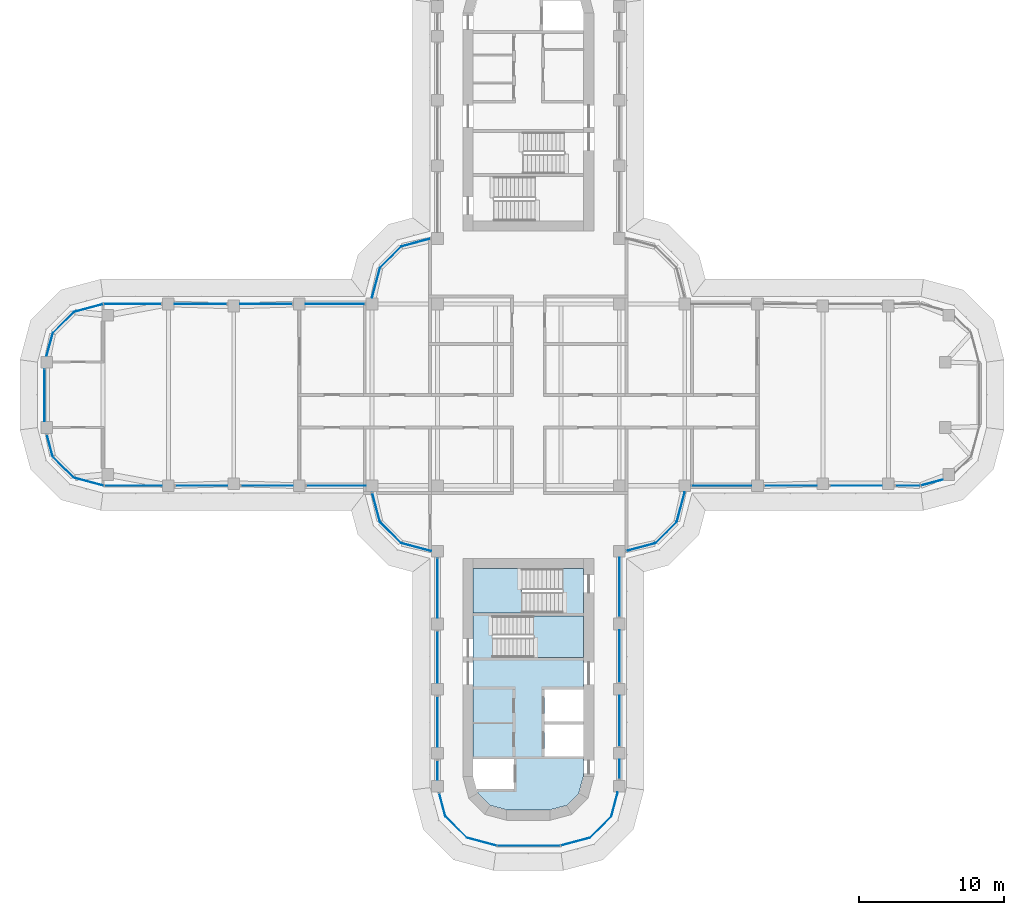
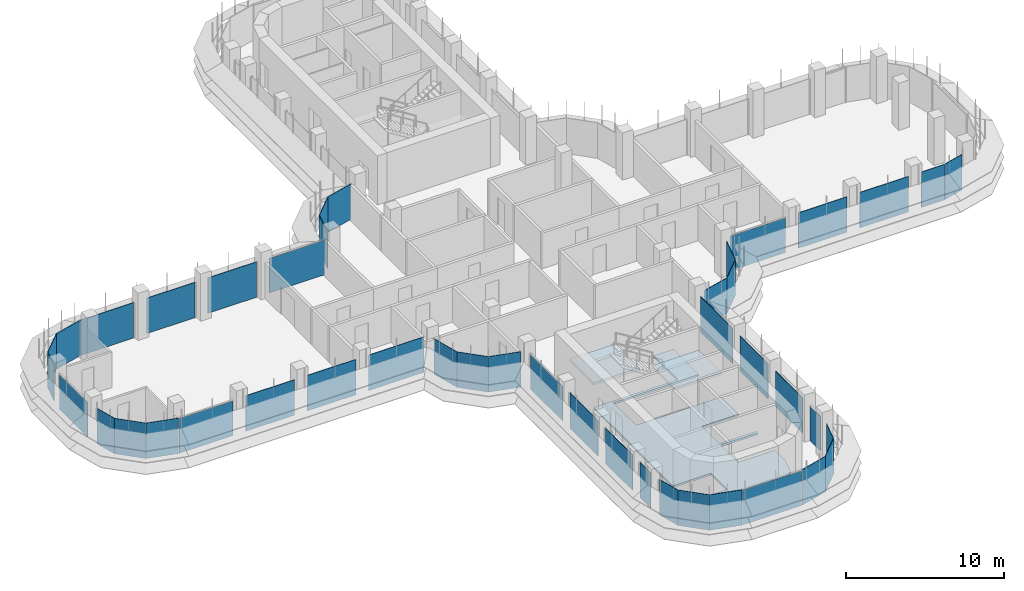
# One storey, part 11 of 19: 44 plates, 3 slabs, 31 elements without a shape of their own.
"""IFC4 building model written with IfcOpenShell, lengths in metres."""

from ifc_helpers import new_model, si_unit, direction, frame, origin, place, context, subcontext, project, spatial, polyline, outline, extrude, source, transform, mapped, material, layer, layer_set, type_object, element, aggregate, save


model = new_model("IFC4")

# Units and contexts
model_context = context("Model", 3, precision=1e-05, world=origin(), true_north=direction((0.0, 1.0)))
body_context = subcontext(model_context, "Body", "Model", "MODEL_VIEW")
ifc_project = project(units=[si_unit("LENGTHUNIT", "METRE"), si_unit("AREAUNIT", "SQUARE_METRE"), si_unit("VOLUMEUNIT", "CUBIC_METRE"), si_unit("PLANEANGLEUNIT", "RADIAN"), si_unit("MASSUNIT", "GRAM", prefix="KILO")], contexts=[model_context])

# Site, building, storey
site_placement = place(None, origin())
site = spatial("IfcSite", under=ifc_project, at=site_placement, CompositionType="ELEMENT")
building_placement = place(site_placement, origin())
building = spatial("IfcBuilding", under=site, at=building_placement, Name="Zarbagh Exchange Tower", CompositionType="ELEMENT")
storey_placement = place(building_placement, frame((0.0, 0.0, 167.60009765625)))
storey = spatial("IfcBuildingStorey", under=building, at=storey_placement, Name="L40", CompositionType="ELEMENT", Elevation=167.60009765625)

# Slab
ifc_material_1 = material(Name="Concrete C40/50", Category="concrete")
ifc_layer_1 = layer(ifc_material_1, 0.14990234375)
ifc_layer_set_1 = layer_set([ifc_layer_1], Name="Core floor slab 150 C40/50")
slab_type_1 = type_object("IfcSlabType", Name="Core floor slab 150 C40/50", PredefinedType="FLOOR", material=ifc_layer_set_1)
slab_1_placement = place(storey_placement, frame((0.0, 0.0, -0.150146484375)))
element("IfcSlab", 1, at=slab_1_placement, inside=storey, type_object=slab_type_1, Name="S17 core S", PredefinedType="FLOOR", context=body_context, shape_type="SweptSolid", body=[
    extrude(outline(polyline([(-2.6376953125, -28.220458984375), (-3.470458984375, -27.3876953125), (-3.800048828125, -26.15771484375), (-3.800048828125, -26.15771484375), (-3.547607421875, -27.10009765625), (-1.0, -27.10009765625), (-1.0, -25.050048828125), (-3.800048828125, -25.050048828125), (-3.800048828125, -15.0), (2.35009765625, -15.0), (2.35009765625, -11.949951171875), (3.800048828125, -11.949951171875), (3.800048828125, -15.199951171875), (-2.449951171875, -15.199951171875), (-2.449951171875, -18.050048828125), (3.800048828125, -18.050048828125), (3.800048828125, -20.25), (1.10009765625, -20.25), (1.10009765625, -22.449951171875), (3.800048828125, -22.449951171875), (3.800048828125, -22.64990234375), (1.10009765625, -22.64990234375), (1.10009765625, -24.85009765625), (3.800048828125, -24.85009765625), (3.800048828125, -26.15771484375), (3.470458984375, -27.3876953125), (2.6376953125, -28.220458984375), (1.40771484375, -28.550048828125), (-1.40771484375, -28.550048828125), (-2.6376953125, -28.220458984375)])), origin(), (0.0, 0.0, 1.0), 0.150146484375),
])

# Stair, slab
stair_type = type_object("IfcStairType", Name="Exit stair two-flight half-turn", PredefinedType="HALF_TURN_STAIR", material=ifc_material_1)
stair_1_placement = place(storey_placement, origin())
stair_1 = element("IfcStair", 2, at=stair_1_placement, inside=storey, type_object=stair_type, Name="exit stair ST3", PredefinedType="HALF_TURN_STAIR")
ifc_layer_2 = layer(ifc_material_1, 0.199951171875)
ifc_layer_set_2 = layer_set([ifc_layer_2], Name="Stair landing 200 mm")
slab_type_2 = type_object("IfcSlabType", Name="Stair landing 200 mm", PredefinedType="LANDING", material=ifc_layer_set_2)
slab_2_placement = place(storey_placement, frame((0.0, 0.0, 1.699951171875)))
slab_2 = element("IfcSlab", 3, at=slab_2_placement, type_object=slab_type_2, Name="ST3 landing 1", PredefinedType="LANDING", context=body_context, shape_type="SweptSolid", body=[
    extrude(outline(polyline([(0.35009765625, -18.050048828125), (3.800048828125, -18.050048828125), (3.800048828125, -15.199951171875), (0.35009765625, -15.199951171875), (0.35009765625, -18.050048828125)])), origin(), (0.0, 0.0, 1.0), 0.199951171875),
])
aggregate(stair_1, [slab_2])

stair_2_placement = place(storey_placement, origin())
stair_2 = element("IfcStair", 4, at=stair_2_placement, inside=storey, type_object=stair_type, Name="exit stair ST4", PredefinedType="HALF_TURN_STAIR")
slab_3_placement = place(storey_placement, frame((0.0, 0.0, 1.699951171875)))
slab_3 = element("IfcSlab", 5, at=slab_3_placement, type_object=slab_type_2, Name="ST4 landing 1", PredefinedType="LANDING", context=body_context, shape_type="SweptSolid", body=[
    extrude(outline(polyline([(-0.449951171875, -11.949951171875), (-3.800048828125, -11.949951171875), (-3.800048828125, -15.0), (-0.449951171875, -15.0), (-0.449951171875, -11.949951171875)])), origin(), (0.0, 0.0, 1.0), 0.199951171875),
])
aggregate(stair_2, [slab_3])

# Curtain wall, plate
ifc_material_2 = material(Name="Anodised aluminium frame and glazing", Category="aluminium")
curtain_wall_type = type_object("IfcCurtainWallType", Name="CWB Ribbon glazing, upper zones", PredefinedType="NOTDEFINED", material=ifc_material_2)
curtain_wall_1_placement = place(storey_placement, origin())
curtain_wall_1 = element("IfcCurtainWall", 6, at=curtain_wall_1_placement, inside=storey, type_object=curtain_wall_type, Name="CWB37 curtain wall", PredefinedType="NOTDEFINED")
ifc_material_3 = material(Name="Low-e double glazed unit, 6+12+6 mm")
ifc_layer_3 = layer(ifc_material_3, 0.031982421875)
ifc_layer_set_3 = layer_set([ifc_layer_3], Name="PAB Glazing panel, Low-e double glazed unit, 6+12+6 mm")
plate_type = type_object("IfcPlateType", Name="PAB Glazing panel, Low-e double glazed unit, 6+12+6 mm", PredefinedType="CURTAIN_PANEL", material=ifc_layer_set_3)
shared_shape_1 = source(origin(), body_context, "Body", "SweptSolid", [
    extrude(outline(polyline([(0.0, -0.01611328125), (1.5458984375, -0.01611328125), (1.5458984375, 0.01611328125), (0.0, 0.01611328125), (0.0, -0.01611328125)])), origin(), (0.0, 0.0, 1.0), 2.75),
])
placement = place(storey_placement, origin())
plate_1 = element("IfcPlate", 7, at=placement, type_object=plate_type, Name="CWB37 glazing panel 1.1", PredefinedType="CURTAIN_PANEL", context=body_context, shape_type="MappedRepresentation", body=[
    mapped(shared_shape_1, transform((-33.098876953125, -2.748046875, 0.0), x_axis=(0.258824779902, -0.965924289636, 0.0), y_axis=(0.965924289636, 0.258824779902, 0.0), z_axis=(0.0, 0.0, 1.0))),
])
aggregate(curtain_wall_1, [plate_1])

curtain_wall_2_placement = place(storey_placement, origin())
curtain_wall_2 = element("IfcCurtainWall", 8, at=curtain_wall_2_placement, inside=storey, type_object=curtain_wall_type, Name="CWB50 curtain wall", PredefinedType="NOTDEFINED")
shared_shape_2 = source(origin(), body_context, "Body", "SweptSolid", [
    extrude(outline(polyline([(0.0, -0.01611328125), (2.061279296875, -0.01611328125), (2.061279296875, 0.01611328125), (0.0, 0.01611328125), (0.0, -0.01611328125)])), origin(), (0.0, 0.0, 1.0), 2.75),
])
plate_2 = element("IfcPlate", 9, at=placement, type_object=plate_type, Name="CWB50 glazing panel 1.1", PredefinedType="CURTAIN_PANEL", context=body_context, shape_type="MappedRepresentation", body=[
    mapped(shared_shape_2, transform((4.2412109375, -30.44873046875, 0.0), x_axis=(0.707106781187, 0.707106781187, 0.0), y_axis=(-0.707106781187, 0.707106781187, 0.0), z_axis=(0.0, 0.0, 1.0))),
])
aggregate(curtain_wall_2, [plate_2])

curtain_wall_3_placement = place(storey_placement, origin())
curtain_wall_3 = element("IfcCurtainWall", 10, at=curtain_wall_3_placement, inside=storey, type_object=curtain_wall_type, Name="CWB06 curtain wall", PredefinedType="NOTDEFINED")
plate_3 = element("IfcPlate", 11, at=placement, type_object=plate_type, Name="CWB06 glazing panel 1.1", PredefinedType="CURTAIN_PANEL", context=body_context, shape_type="MappedRepresentation", body=[
    mapped(shared_shape_2, transform((8.7412109375, -10.19873046875, 0.0), x_axis=(0.707106781187, 0.707106781187, 0.0), y_axis=(-0.707106781187, 0.707106781187, 0.0), z_axis=(0.0, 0.0, 1.0))),
])
aggregate(curtain_wall_3, [plate_3])

curtain_wall_4_placement = place(storey_placement, origin())
curtain_wall_4 = element("IfcCurtainWall", 12, at=curtain_wall_4_placement, inside=storey, type_object=curtain_wall_type, Name="CWB30 curtain wall", PredefinedType="NOTDEFINED")
plate_4 = element("IfcPlate", 13, at=placement, type_object=plate_type, Name="CWB30 glazing panel 1.1", PredefinedType="CURTAIN_PANEL", context=body_context, shape_type="MappedRepresentation", body=[
    mapped(shared_shape_2, transform((-8.7412109375, 10.19873046875, 0.0), x_axis=(-0.707106781187, -0.707106781187, 0.0), y_axis=(0.707106781187, -0.707106781187, 0.0), z_axis=(0.0, 0.0, 1.0))),
])
aggregate(curtain_wall_4, [plate_4])

curtain_wall_5_placement = place(storey_placement, origin())
curtain_wall_5 = element("IfcCurtainWall", 14, at=curtain_wall_5_placement, inside=storey, type_object=curtain_wall_type, Name="CWB34 curtain wall", PredefinedType="NOTDEFINED")
plate_5 = element("IfcPlate", 15, at=placement, type_object=plate_type, Name="CWB34 glazing panel 1.1", PredefinedType="CURTAIN_PANEL", context=body_context, shape_type="MappedRepresentation", body=[
    mapped(shared_shape_2, transform((-31.2412109375, 5.69873046875, 0.0), x_axis=(-0.707106781187, -0.707106781187, 0.0), y_axis=(0.707106781187, -0.707106781187, 0.0), z_axis=(0.0, 0.0, 1.0))),
])
aggregate(curtain_wall_5, [plate_5])

curtain_wall_6_placement = place(storey_placement, origin())
curtain_wall_6 = element("IfcCurtainWall", 16, at=curtain_wall_6_placement, inside=storey, type_object=curtain_wall_type, Name="CWB38 curtain wall", PredefinedType="NOTDEFINED")
plate_6 = element("IfcPlate", 17, at=placement, type_object=plate_type, Name="CWB38 glazing panel 1.1", PredefinedType="CURTAIN_PANEL", context=body_context, shape_type="MappedRepresentation", body=[
    mapped(shared_shape_2, transform((-32.69873046875, -4.2412109375, 0.0), x_axis=(0.707106781187, -0.707106781187, 0.0), y_axis=(0.707106781187, 0.707106781187, 0.0), z_axis=(0.0, 0.0, 1.0))),
])
aggregate(curtain_wall_6, [plate_6])

curtain_wall_7_placement = place(storey_placement, origin())
curtain_wall_7 = element("IfcCurtainWall", 18, at=curtain_wall_7_placement, inside=storey, type_object=curtain_wall_type, Name="CWB42 curtain wall", PredefinedType="NOTDEFINED")
plate_7 = element("IfcPlate", 19, at=placement, type_object=plate_type, Name="CWB42 glazing panel 1.1", PredefinedType="CURTAIN_PANEL", context=body_context, shape_type="MappedRepresentation", body=[
    mapped(shared_shape_2, transform((-10.19873046875, -8.7412109375, 0.0), x_axis=(0.707106781187, -0.707106781187, 0.0), y_axis=(0.707106781187, 0.707106781187, 0.0), z_axis=(0.0, 0.0, 1.0))),
])
aggregate(curtain_wall_7, [plate_7])

curtain_wall_8_placement = place(storey_placement, origin())
curtain_wall_8 = element("IfcCurtainWall", 20, at=curtain_wall_8_placement, inside=storey, type_object=curtain_wall_type, Name="CWB55 curtain wall", PredefinedType="NOTDEFINED")
plate_8 = element("IfcPlate", 21, at=placement, type_object=plate_type, Name="CWB55 glazing panel 1.1", PredefinedType="CURTAIN_PANEL", context=body_context, shape_type="MappedRepresentation", body=[
    mapped(shared_shape_2, transform((-5.69873046875, -28.9912109375, 0.0), x_axis=(0.707106781187, -0.707106781187, 0.0), y_axis=(0.707106781187, 0.707106781187, 0.0), z_axis=(0.0, 0.0, 1.0))),
])
aggregate(curtain_wall_8, [plate_8])

curtain_wall_9_placement = place(storey_placement, origin())
curtain_wall_9 = element("IfcCurtainWall", 22, at=curtain_wall_9_placement, inside=storey, type_object=curtain_wall_type, Name="CWB39 curtain wall", PredefinedType="NOTDEFINED")
shared_shape_3 = source(origin(), body_context, "Body", "SweptSolid", [
    extrude(outline(polyline([(0.0, -0.01611328125), (2.129638671875, -0.01611328125), (2.129638671875, 0.01611328125), (0.0, 0.01611328125), (0.0, -0.01611328125)])), origin(), (0.0, 0.0, 1.0), 2.75),
])
plate_9 = element("IfcPlate", 23, at=placement, type_object=plate_type, Name="CWB39 glazing panel 1.1", PredefinedType="CURTAIN_PANEL", context=body_context, shape_type="MappedRepresentation", body=[
    mapped(shared_shape_3, transform((-31.2412109375, -5.69873046875, 0.0), x_axis=(0.965924289636, -0.258824779902, 0.0), y_axis=(0.258824779902, 0.965924289636, 0.0), z_axis=(0.0, 0.0, 1.0))),
])
aggregate(curtain_wall_9, [plate_9])

curtain_wall_10_placement = place(storey_placement, origin())
curtain_wall_10 = element("IfcCurtainWall", 24, at=curtain_wall_10_placement, inside=storey, type_object=curtain_wall_type, Name="CWB56 curtain wall", PredefinedType="NOTDEFINED")
plate_10 = element("IfcPlate", 25, at=placement, type_object=plate_type, Name="CWB56 glazing panel 1.1", PredefinedType="CURTAIN_PANEL", context=body_context, shape_type="MappedRepresentation", body=[
    mapped(shared_shape_3, transform((-4.2412109375, -30.44873046875, 0.0), x_axis=(0.965924289636, -0.258824779902, 0.0), y_axis=(0.258824779902, 0.965924289636, 0.0), z_axis=(0.0, 0.0, 1.0))),
])
aggregate(curtain_wall_10, [plate_10])

curtain_wall_11_placement = place(storey_placement, origin())
curtain_wall_11 = element("IfcCurtainWall", 26, at=curtain_wall_11_placement, inside=storey, type_object=curtain_wall_type, Name="CWB53 curtain wall", PredefinedType="NOTDEFINED")
shared_shape_4 = source(origin(), body_context, "Body", "SweptSolid", [
    extrude(outline(polyline([(0.0, -0.01611328125), (1.31005859375, -0.01611328125), (1.31005859375, 0.01611328125), (0.0, 0.01611328125), (0.0, -0.01611328125)])), origin(), (0.0, 0.0, 1.0), 2.75),
])
plate_11 = element("IfcPlate", 27, at=placement, type_object=plate_type, Name="CWB53 glazing panel 4.1", PredefinedType="CURTAIN_PANEL", context=body_context, shape_type="MappedRepresentation", body=[
    mapped(shared_shape_4, transform((-6.25, -25.150146484375, 0.0), x_axis=(0.0, -1.0, 0.0), y_axis=(1.0, 0.0, 0.0), z_axis=(0.0, 0.0, 1.0))),
])

curtain_wall_12_placement = place(storey_placement, origin())
curtain_wall_12 = element("IfcCurtainWall", 28, at=curtain_wall_12_placement, inside=storey, type_object=curtain_wall_type, Name="CWB52 curtain wall", PredefinedType="NOTDEFINED")
shared_shape_5 = source(origin(), body_context, "Body", "SweptSolid", [
    extrude(outline(polyline([(0.0, -0.01611328125), (3.4599609375, -0.01611328125), (3.4599609375, 0.01611328125), (0.0, 0.01611328125), (0.0, -0.01611328125)])), origin(), (0.0, 0.0, 1.0), 2.75),
])
plate_12 = element("IfcPlate", 29, at=placement, type_object=plate_type, Name="CWB52 glazing panel 2.1", PredefinedType="CURTAIN_PANEL", context=body_context, shape_type="MappedRepresentation", body=[
    mapped(shared_shape_5, transform((6.25, -24.14990234375, 0.0), x_axis=(0.0, 1.0, 0.0), y_axis=(-1.0, 0.0, 0.0), z_axis=(0.0, 0.0, 1.0))),
])

# Plate
plate_13 = element("IfcPlate", 30, at=placement, type_object=plate_type, Name="CWB53 glazing panel 3.1", PredefinedType="CURTAIN_PANEL", context=body_context, shape_type="MappedRepresentation", body=[
    mapped(shared_shape_5, transform((-6.25, -20.75, 0.0), x_axis=(0.0, -1.0, 0.0), y_axis=(1.0, 0.0, 0.0), z_axis=(0.0, 0.0, 1.0))),
])

shared_shape_6 = source(origin(), body_context, "Body", "SweptSolid", [
    extrude(outline(polyline([(0.0, -0.01611328125), (3.56005859375, -0.01611328125), (3.56005859375, 0.01611328125), (0.0, 0.01611328125), (0.0, -0.01611328125)])), origin(), (0.0, 0.0, 1.0), 2.75),
])
plate_14 = element("IfcPlate", 31, at=placement, type_object=plate_type, Name="CWB52 glazing panel 3.1", PredefinedType="CURTAIN_PANEL", context=body_context, shape_type="MappedRepresentation", body=[
    mapped(shared_shape_6, transform((6.25, -19.75, 0.0), x_axis=(0.0, 1.0, 0.0), y_axis=(-1.0, 0.0, 0.0), z_axis=(0.0, 0.0, 1.0))),
])

# Curtain wall, plates
curtain_wall_13_placement = place(storey_placement, origin())
curtain_wall_13 = element("IfcCurtainWall", 32, at=curtain_wall_13_placement, inside=storey, type_object=curtain_wall_type, Name="CWB08 curtain wall", PredefinedType="NOTDEFINED")
plate_15 = element("IfcPlate", 33, at=placement, type_object=plate_type, Name="CWB08 glazing panel 2.1", PredefinedType="CURTAIN_PANEL", context=body_context, shape_type="MappedRepresentation", body=[
    mapped(shared_shape_6, transform((16.25, -6.25, 0.0), x_axis=(1.0, 0.0, 0.0), y_axis=(0.0, 1.0, 0.0), z_axis=(0.0, 0.0, 1.0))),
])
plate_16 = element("IfcPlate", 34, at=placement, type_object=plate_type, Name="CWB08 glazing panel 3.1", PredefinedType="CURTAIN_PANEL", context=body_context, shape_type="MappedRepresentation", body=[
    mapped(shared_shape_6, transform((20.75, -6.25, 0.0), x_axis=(1.0, 0.0, 0.0), y_axis=(0.0, 1.0, 0.0), z_axis=(0.0, 0.0, 1.0))),
])

curtain_wall_14_placement = place(storey_placement, origin())
curtain_wall_14 = element("IfcCurtainWall", 35, at=curtain_wall_14_placement, inside=storey, type_object=curtain_wall_type, Name="CWB32 curtain wall", PredefinedType="NOTDEFINED")
plate_17 = element("IfcPlate", 36, at=placement, type_object=plate_type, Name="CWB32 glazing panel 2.1", PredefinedType="CURTAIN_PANEL", context=body_context, shape_type="MappedRepresentation", body=[
    mapped(shared_shape_6, transform((-16.25, 6.25, 0.0), x_axis=(-1.0, 0.0, 0.0), y_axis=(0.0, -1.0, 0.0), z_axis=(0.0, 0.0, 1.0))),
])
plate_18 = element("IfcPlate", 37, at=placement, type_object=plate_type, Name="CWB32 glazing panel 3.1", PredefinedType="CURTAIN_PANEL", context=body_context, shape_type="MappedRepresentation", body=[
    mapped(shared_shape_6, transform((-20.75, 6.25, 0.0), x_axis=(-1.0, 0.0, 0.0), y_axis=(0.0, -1.0, 0.0), z_axis=(0.0, 0.0, 1.0))),
])

curtain_wall_15_placement = place(storey_placement, origin())
curtain_wall_15 = element("IfcCurtainWall", 38, at=curtain_wall_15_placement, inside=storey, type_object=curtain_wall_type, Name="CWB40 curtain wall", PredefinedType="NOTDEFINED")
plate_19 = element("IfcPlate", 39, at=placement, type_object=plate_type, Name="CWB40 glazing panel 2.1", PredefinedType="CURTAIN_PANEL", context=body_context, shape_type="MappedRepresentation", body=[
    mapped(shared_shape_6, transform((-24.25, -6.25, 0.0), x_axis=(1.0, 0.0, 0.0), y_axis=(0.0, 1.0, 0.0), z_axis=(0.0, 0.0, 1.0))),
])
plate_20 = element("IfcPlate", 40, at=placement, type_object=plate_type, Name="CWB40 glazing panel 3.1", PredefinedType="CURTAIN_PANEL", context=body_context, shape_type="MappedRepresentation", body=[
    mapped(shared_shape_6, transform((-19.75, -6.25, 0.0), x_axis=(1.0, 0.0, 0.0), y_axis=(0.0, 1.0, 0.0), z_axis=(0.0, 0.0, 1.0))),
])

# Plate
plate_21 = element("IfcPlate", 41, at=placement, type_object=plate_type, Name="CWB53 glazing panel 2.1", PredefinedType="CURTAIN_PANEL", context=body_context, shape_type="MappedRepresentation", body=[
    mapped(shared_shape_6, transform((-6.25, -16.25, 0.0), x_axis=(0.0, -1.0, 0.0), y_axis=(1.0, 0.0, 0.0), z_axis=(0.0, 0.0, 1.0))),
])

shared_shape_7 = source(origin(), body_context, "Body", "SweptSolid", [
    extrude(outline(polyline([(0.0, -0.01611328125), (4.06005859375, -0.01611328125), (4.06005859375, 0.01611328125), (0.0, 0.01611328125), (0.0, -0.01611328125)])), origin(), (0.0, 0.0, 1.0), 2.75),
])
plate_22 = element("IfcPlate", 42, at=placement, type_object=plate_type, Name="CWB52 glazing panel 4.1", PredefinedType="CURTAIN_PANEL", context=body_context, shape_type="MappedRepresentation", body=[
    mapped(shared_shape_7, transform((6.25, -15.25, 0.0), x_axis=(0.0, 1.0, 0.0), y_axis=(-1.0, 0.0, 0.0), z_axis=(0.0, 0.0, 1.0))),
])

plate_23 = element("IfcPlate", 43, at=placement, type_object=plate_type, Name="CWB40 glazing panel 4.1", PredefinedType="CURTAIN_PANEL", context=body_context, shape_type="MappedRepresentation", body=[
    mapped(shared_shape_7, transform((-15.25, -6.25, 0.0), x_axis=(1.0, 0.0, 0.0), y_axis=(0.0, 1.0, 0.0), z_axis=(0.0, 0.0, 1.0))),
])

# Curtain wall, plate
curtain_wall_16_placement = place(storey_placement, origin())
curtain_wall_16 = element("IfcCurtainWall", 44, at=curtain_wall_16_placement, inside=storey, type_object=curtain_wall_type, Name="CWB05 curtain wall", PredefinedType="NOTDEFINED")
shared_shape_8 = source(origin(), body_context, "Body", "SweptSolid", [
    extrude(outline(polyline([(0.0, -0.01611328125), (2.063720703125, -0.01611328125), (2.063720703125, 0.01611328125), (0.0, 0.01611328125), (0.0, -0.01611328125)])), origin(), (0.0, 0.0, 1.0), 2.75),
])
plate_24 = element("IfcPlate", 45, at=placement, type_object=plate_type, Name="CWB05 glazing panel 1.1", PredefinedType="CURTAIN_PANEL", context=body_context, shape_type="MappedRepresentation", body=[
    mapped(shared_shape_8, transform((6.748046875, -10.73291015625, 0.0), x_axis=(0.965924289636, 0.258824779902, 0.0), y_axis=(-0.258824779902, 0.965924289636, 0.0), z_axis=(0.0, 0.0, 1.0))),
])
aggregate(curtain_wall_16, [plate_24])

curtain_wall_17_placement = place(storey_placement, origin())
curtain_wall_17 = element("IfcCurtainWall", 46, at=curtain_wall_17_placement, inside=storey, type_object=curtain_wall_type, Name="CWB29 curtain wall", PredefinedType="NOTDEFINED")
plate_25 = element("IfcPlate", 47, at=placement, type_object=plate_type, Name="CWB29 glazing panel 1.1", PredefinedType="CURTAIN_PANEL", context=body_context, shape_type="MappedRepresentation", body=[
    mapped(shared_shape_8, transform((-6.748046875, 10.73291015625, 0.0), x_axis=(-0.965924289636, -0.258824779902, 0.0), y_axis=(0.258824779902, -0.965924289636, 0.0), z_axis=(0.0, 0.0, 1.0))),
])
aggregate(curtain_wall_17, [plate_25])

curtain_wall_18_placement = place(storey_placement, origin())
curtain_wall_18 = element("IfcCurtainWall", 48, at=curtain_wall_18_placement, inside=storey, type_object=curtain_wall_type, Name="CWB41 curtain wall", PredefinedType="NOTDEFINED")
plate_26 = element("IfcPlate", 49, at=placement, type_object=plate_type, Name="CWB41 glazing panel 1.1", PredefinedType="CURTAIN_PANEL", context=body_context, shape_type="MappedRepresentation", body=[
    mapped(shared_shape_8, transform((-10.73291015625, -6.748046875, 0.0), x_axis=(0.258824779902, -0.965924289636, 0.0), y_axis=(0.965924289636, 0.258824779902, 0.0), z_axis=(0.0, 0.0, 1.0))),
])
aggregate(curtain_wall_18, [plate_26])

curtain_wall_19_placement = place(storey_placement, origin())
curtain_wall_19 = element("IfcCurtainWall", 50, at=curtain_wall_19_placement, inside=storey, type_object=curtain_wall_type, Name="CWB07 curtain wall", PredefinedType="NOTDEFINED")
shared_shape_9 = source(origin(), body_context, "Body", "SweptSolid", [
    extrude(outline(polyline([(0.0, -0.01611328125), (2.12353515625, -0.01611328125), (2.12353515625, 0.01611328125), (0.0, 0.01611328125), (0.0, -0.01611328125)])), origin(), (0.0, 0.0, 1.0), 2.75),
])
plate_27 = element("IfcPlate", 51, at=placement, type_object=plate_type, Name="CWB07 glazing panel 1.1", PredefinedType="CURTAIN_PANEL", context=body_context, shape_type="MappedRepresentation", body=[
    mapped(shared_shape_9, transform((10.19873046875, -8.7412109375, 0.0), x_axis=(0.258824779902, 0.965924289636, 0.0), y_axis=(-0.965924289636, 0.258824779902, 0.0), z_axis=(0.0, 0.0, 1.0))),
])
aggregate(curtain_wall_19, [plate_27])

curtain_wall_20_placement = place(storey_placement, origin())
curtain_wall_20 = element("IfcCurtainWall", 52, at=curtain_wall_20_placement, inside=storey, type_object=curtain_wall_type, Name="CWB31 curtain wall", PredefinedType="NOTDEFINED")
plate_28 = element("IfcPlate", 53, at=placement, type_object=plate_type, Name="CWB31 glazing panel 1.1", PredefinedType="CURTAIN_PANEL", context=body_context, shape_type="MappedRepresentation", body=[
    mapped(shared_shape_9, transform((-10.19873046875, 8.7412109375, 0.0), x_axis=(-0.258824779902, -0.965924289636, 0.0), y_axis=(0.965924289636, -0.258824779902, 0.0), z_axis=(0.0, 0.0, 1.0))),
])
aggregate(curtain_wall_20, [plate_28])

curtain_wall_21_placement = place(storey_placement, origin())
curtain_wall_21 = element("IfcCurtainWall", 54, at=curtain_wall_21_placement, inside=storey, type_object=curtain_wall_type, Name="CWB43 curtain wall", PredefinedType="NOTDEFINED")
plate_29 = element("IfcPlate", 55, at=placement, type_object=plate_type, Name="CWB43 glazing panel 1.1", PredefinedType="CURTAIN_PANEL", context=body_context, shape_type="MappedRepresentation", body=[
    mapped(shared_shape_9, transform((-8.7412109375, -10.19873046875, 0.0), x_axis=(0.965924289636, -0.258824779902, 0.0), y_axis=(0.258824779902, 0.965924289636, 0.0), z_axis=(0.0, 0.0, 1.0))),
])
aggregate(curtain_wall_21, [plate_29])

# Plate
shared_shape_10 = source(origin(), body_context, "Body", "SweptSolid", [
    extrude(outline(polyline([(0.0, -0.01611328125), (4.06005859375, -0.01611328125), (4.06005859375, 0.01611328125), (0.0, 0.01611328125), (0.0, -0.01611328125)])), origin(), (0.0, 0.0, 1.0), 2.68994140625),
])
plate_30 = element("IfcPlate", 56, at=placement, type_object=plate_type, Name="CWB08 glazing panel 1.1", PredefinedType="CURTAIN_PANEL", context=body_context, shape_type="MappedRepresentation", body=[
    mapped(shared_shape_10, transform((11.25, -6.25, 0.0), x_axis=(1.0, 0.0, 0.0), y_axis=(0.0, 1.0, 0.0), z_axis=(0.0, 0.0, 1.0))),
])

plate_31 = element("IfcPlate", 57, at=placement, type_object=plate_type, Name="CWB32 glazing panel 1.1", PredefinedType="CURTAIN_PANEL", context=body_context, shape_type="MappedRepresentation", body=[
    mapped(shared_shape_10, transform((-11.25, 6.25, 0.0), x_axis=(-1.0, 0.0, 0.0), y_axis=(0.0, -1.0, 0.0), z_axis=(0.0, 0.0, 1.0))),
])

plate_32 = element("IfcPlate", 58, at=placement, type_object=plate_type, Name="CWB53 glazing panel 1.1", PredefinedType="CURTAIN_PANEL", context=body_context, shape_type="MappedRepresentation", body=[
    mapped(shared_shape_10, transform((-6.25, -11.25, 0.0), x_axis=(0.0, -1.0, 0.0), y_axis=(1.0, 0.0, 0.0), z_axis=(0.0, 0.0, 1.0))),
])

aggregate(curtain_wall_11, [plate_32, plate_21, plate_13, plate_11])

shared_shape_11 = source(origin(), body_context, "Body", "SweptSolid", [
    extrude(outline(polyline([(0.0, -0.01611328125), (1.68408203125, -0.01611328125), (1.68408203125, 0.01611328125), (0.0, 0.01611328125), (0.0, -0.01611328125)])), origin(), (0.0, 0.0, 1.0), 2.75),
])
plate_33 = element("IfcPlate", 59, at=placement, type_object=plate_type, Name="CWB08 glazing panel 4.1", PredefinedType="CURTAIN_PANEL", context=body_context, shape_type="MappedRepresentation", body=[
    mapped(shared_shape_11, transform((25.25, -6.25, 0.0), x_axis=(1.0, 0.0, 0.0), y_axis=(0.0, 1.0, 0.0), z_axis=(0.0, 0.0, 1.0))),
])

aggregate(curtain_wall_13, [plate_30, plate_15, plate_16, plate_33])

# Curtain wall, plate
curtain_wall_22_placement = place(storey_placement, origin())
curtain_wall_22 = element("IfcCurtainWall", 60, at=curtain_wall_22_placement, inside=storey, type_object=curtain_wall_type, Name="CWB09 curtain wall", PredefinedType="NOTDEFINED")
shared_shape_12 = source(origin(), body_context, "Body", "SweptSolid", [
    extrude(outline(polyline([(0.0, -0.01611328125), (1.52783203125, -0.01611328125), (1.52783203125, 0.01611328125), (0.0, 0.01611328125), (0.0, -0.01611328125)])), origin(), (0.0, 0.0, 1.0), 2.75),
])
plate_34 = element("IfcPlate", 61, at=placement, type_object=plate_type, Name="CWB09 glazing panel 1.1", PredefinedType="CURTAIN_PANEL", context=body_context, shape_type="MappedRepresentation", body=[
    mapped(shared_shape_12, transform((26.9921875, -6.234375, 0.0), x_axis=(0.965924289636, 0.258824779902, 0.0), y_axis=(-0.258824779902, 0.965924289636, 0.0), z_axis=(0.0, 0.0, 1.0))),
])
aggregate(curtain_wall_22, [plate_34])

curtain_wall_23_placement = place(storey_placement, origin())
curtain_wall_23 = element("IfcCurtainWall", 62, at=curtain_wall_23_placement, inside=storey, type_object=curtain_wall_type, Name="CWB57 curtain wall", PredefinedType="NOTDEFINED")
shared_shape_13 = source(origin(), body_context, "Body", "SweptSolid", [
    extrude(outline(polyline([(0.0, -0.01611328125), (4.308349609375, -0.01611328125), (4.308349609375, 0.01611328125), (0.0, 0.01611328125), (0.0, -0.01611328125)])), origin(), (0.0, 0.0, 1.0), 2.68994140625),
])
plate_35 = element("IfcPlate", 63, at=placement, type_object=plate_type, Name="CWB57 glazing panel 1.1", PredefinedType="CURTAIN_PANEL", context=body_context, shape_type="MappedRepresentation", body=[
    mapped(shared_shape_13, transform((-2.124267578125, -31.0, 0.0), x_axis=(1.0, 0.0, 0.0), y_axis=(0.0, 1.0, 0.0), z_axis=(0.0, 0.0, 1.0))),
])
aggregate(curtain_wall_23, [plate_35])

curtain_wall_24_placement = place(storey_placement, origin())
curtain_wall_24 = element("IfcCurtainWall", 64, at=curtain_wall_24_placement, inside=storey, type_object=curtain_wall_type, Name="CWB49 curtain wall", PredefinedType="NOTDEFINED")
shared_shape_14 = source(origin(), body_context, "Body", "SweptSolid", [
    extrude(outline(polyline([(0.0, -0.01611328125), (2.069580078125, -0.01611328125), (2.069580078125, 0.01611328125), (0.0, 0.01611328125), (0.0, -0.01611328125)])), origin(), (0.0, 0.0, 1.0), 2.75),
])
plate_36 = element("IfcPlate", 65, at=placement, type_object=plate_type, Name="CWB49 glazing panel 1.1", PredefinedType="CURTAIN_PANEL", context=body_context, shape_type="MappedRepresentation", body=[
    mapped(shared_shape_14, transform((2.2421875, -30.984375, 0.0), x_axis=(0.965924289636, 0.258824779902, 0.0), y_axis=(-0.258824779902, 0.965924289636, 0.0), z_axis=(0.0, 0.0, 1.0))),
])
aggregate(curtain_wall_24, [plate_36])

curtain_wall_25_placement = place(storey_placement, origin())
curtain_wall_25 = element("IfcCurtainWall", 66, at=curtain_wall_25_placement, inside=storey, type_object=curtain_wall_type, Name="CWB33 curtain wall", PredefinedType="NOTDEFINED")
plate_37 = element("IfcPlate", 67, at=placement, type_object=plate_type, Name="CWB33 glazing panel 1.1", PredefinedType="CURTAIN_PANEL", context=body_context, shape_type="MappedRepresentation", body=[
    mapped(shared_shape_14, transform((-29.2421875, 6.234375, 0.0), x_axis=(-0.965924289636, -0.258824779902, 0.0), y_axis=(0.258824779902, -0.965924289636, 0.0), z_axis=(0.0, 0.0, 1.0))),
])
aggregate(curtain_wall_25, [plate_37])

# Plate
shared_shape_15 = source(origin(), body_context, "Body", "SweptSolid", [
    extrude(outline(polyline([(0.0, -0.01611328125), (3.93408203125, -0.01611328125), (3.93408203125, 0.01611328125), (0.0, 0.01611328125), (0.0, -0.01611328125)])), origin(), (0.0, 0.0, 1.0), 2.75),
])
plate_38 = element("IfcPlate", 68, at=placement, type_object=plate_type, Name="CWB32 glazing panel 4.1", PredefinedType="CURTAIN_PANEL", context=body_context, shape_type="MappedRepresentation", body=[
    mapped(shared_shape_15, transform((-25.25, 6.25, 0.0), x_axis=(-1.0, 0.0, 0.0), y_axis=(0.0, -1.0, 0.0), z_axis=(0.0, 0.0, 1.0))),
])

aggregate(curtain_wall_14, [plate_31, plate_17, plate_18, plate_38])

# Curtain wall, plate
curtain_wall_26_placement = place(storey_placement, origin())
curtain_wall_26 = element("IfcCurtainWall", 69, at=curtain_wall_26_placement, inside=storey, type_object=curtain_wall_type, Name="CWB35 curtain wall", PredefinedType="NOTDEFINED")
shared_shape_16 = source(origin(), body_context, "Body", "SweptSolid", [
    extrude(outline(polyline([(0.0, -0.01611328125), (1.60595703125, -0.01611328125), (1.60595703125, 0.01611328125), (0.0, 0.01611328125), (0.0, -0.01611328125)])), origin(), (0.0, 0.0, 1.0), 2.75),
])
plate_39 = element("IfcPlate", 70, at=placement, type_object=plate_type, Name="CWB35 glazing panel 1.1", PredefinedType="CURTAIN_PANEL", context=body_context, shape_type="MappedRepresentation", body=[
    mapped(shared_shape_16, transform((-32.69873046875, 4.2412109375, 0.0), x_axis=(-0.258824779902, -0.965924289636, 0.0), y_axis=(0.965924289636, -0.258824779902, 0.0), z_axis=(0.0, 0.0, 1.0))),
])
aggregate(curtain_wall_26, [plate_39])

curtain_wall_27_placement = place(storey_placement, origin())
curtain_wall_27 = element("IfcCurtainWall", 71, at=curtain_wall_27_placement, inside=storey, type_object=curtain_wall_type, Name="CWB36 curtain wall", PredefinedType="NOTDEFINED")
shared_shape_17 = source(origin(), body_context, "Body", "SweptSolid", [
    extrude(outline(polyline([(0.0, -0.01611328125), (3.56005859375, -0.01611328125), (3.56005859375, 0.01611328125), (0.0, 0.01611328125), (0.0, -0.01611328125)])), origin(), (0.0, 0.0, 1.0), 2.68994140625),
])
plate_40 = element("IfcPlate", 72, at=placement, type_object=plate_type, Name="CWB36 glazing panel 1.1", PredefinedType="CURTAIN_PANEL", context=body_context, shape_type="MappedRepresentation", body=[
    mapped(shared_shape_17, transform((-33.25, 1.75, 0.0), x_axis=(0.0, -1.0, 0.0), y_axis=(1.0, 0.0, 0.0), z_axis=(0.0, 0.0, 1.0))),
])
aggregate(curtain_wall_27, [plate_40])

# Plate
shared_shape_18 = source(origin(), body_context, "Body", "SweptSolid", [
    extrude(outline(polyline([(0.0, -0.01611328125), (3.93408203125, -0.01611328125), (3.93408203125, 0.01611328125), (0.0, 0.01611328125), (0.0, -0.01611328125)])), origin(), (0.0, 0.0, 1.0), 2.68994140625),
])
plate_41 = element("IfcPlate", 73, at=placement, type_object=plate_type, Name="CWB40 glazing panel 1.1", PredefinedType="CURTAIN_PANEL", context=body_context, shape_type="MappedRepresentation", body=[
    mapped(shared_shape_18, transform((-29.124267578125, -6.25, 0.0), x_axis=(1.0, 0.0, 0.0), y_axis=(0.0, 1.0, 0.0), z_axis=(0.0, 0.0, 1.0))),
])

aggregate(curtain_wall_15, [plate_41, plate_19, plate_20, plate_23])

# Curtain wall, plate
curtain_wall_28_placement = place(storey_placement, origin())
curtain_wall_28 = element("IfcCurtainWall", 74, at=curtain_wall_28_placement, inside=storey, type_object=curtain_wall_type, Name="CWB51 curtain wall", PredefinedType="NOTDEFINED")
shared_shape_19 = source(origin(), body_context, "Body", "SweptSolid", [
    extrude(outline(polyline([(0.0, -0.01611328125), (1.70947265625, -0.01611328125), (1.70947265625, 0.01611328125), (0.0, 0.01611328125), (0.0, -0.01611328125)])), origin(), (0.0, 0.0, 1.0), 2.75),
])
plate_42 = element("IfcPlate", 75, at=placement, type_object=plate_type, Name="CWB51 glazing panel 1.1", PredefinedType="CURTAIN_PANEL", context=body_context, shape_type="MappedRepresentation", body=[
    mapped(shared_shape_19, transform((5.69873046875, -28.9912109375, 0.0), x_axis=(0.258824779902, 0.965924289636, 0.0), y_axis=(-0.965924289636, 0.258824779902, 0.0), z_axis=(0.0, 0.0, 1.0))),
])
aggregate(curtain_wall_28, [plate_42])

# Plate
shared_shape_20 = source(origin(), body_context, "Body", "SweptSolid", [
    extrude(outline(polyline([(0.0, -0.01611328125), (1.31005859375, -0.01611328125), (1.31005859375, 0.01611328125), (0.0, 0.01611328125), (0.0, -0.01611328125)])), origin(), (0.0, 0.0, 1.0), 2.68994140625),
])
plate_43 = element("IfcPlate", 76, at=placement, type_object=plate_type, Name="CWB52 glazing panel 1.1", PredefinedType="CURTAIN_PANEL", context=body_context, shape_type="MappedRepresentation", body=[
    mapped(shared_shape_20, transform((6.25, -26.39990234375, 0.0), x_axis=(0.0, 1.0, 0.0), y_axis=(-1.0, 0.0, 0.0), z_axis=(0.0, 0.0, 1.0))),
])

aggregate(curtain_wall_12, [plate_43, plate_12, plate_14, plate_22])

# Curtain wall, plate
curtain_wall_29_placement = place(storey_placement, origin())
curtain_wall_29 = element("IfcCurtainWall", 77, at=curtain_wall_29_placement, inside=storey, type_object=curtain_wall_type, Name="CWB54 curtain wall", PredefinedType="NOTDEFINED")
shared_shape_21 = source(origin(), body_context, "Body", "SweptSolid", [
    extrude(outline(polyline([(0.0, -0.01611328125), (1.6494140625, -0.01611328125), (1.6494140625, 0.01611328125), (0.0, 0.01611328125), (0.0, -0.01611328125)])), origin(), (0.0, 0.0, 1.0), 2.75),
])
plate_44 = element("IfcPlate", 78, at=placement, type_object=plate_type, Name="CWB54 glazing panel 1.1", PredefinedType="CURTAIN_PANEL", context=body_context, shape_type="MappedRepresentation", body=[
    mapped(shared_shape_21, transform((-6.125732421875, -27.39794921875, 0.0), x_axis=(0.258824779902, -0.965924289636, 0.0), y_axis=(0.965924289636, 0.258824779902, 0.0), z_axis=(0.0, 0.0, 1.0))),
])
aggregate(curtain_wall_29, [plate_44])

save(model, "model.ifc")
